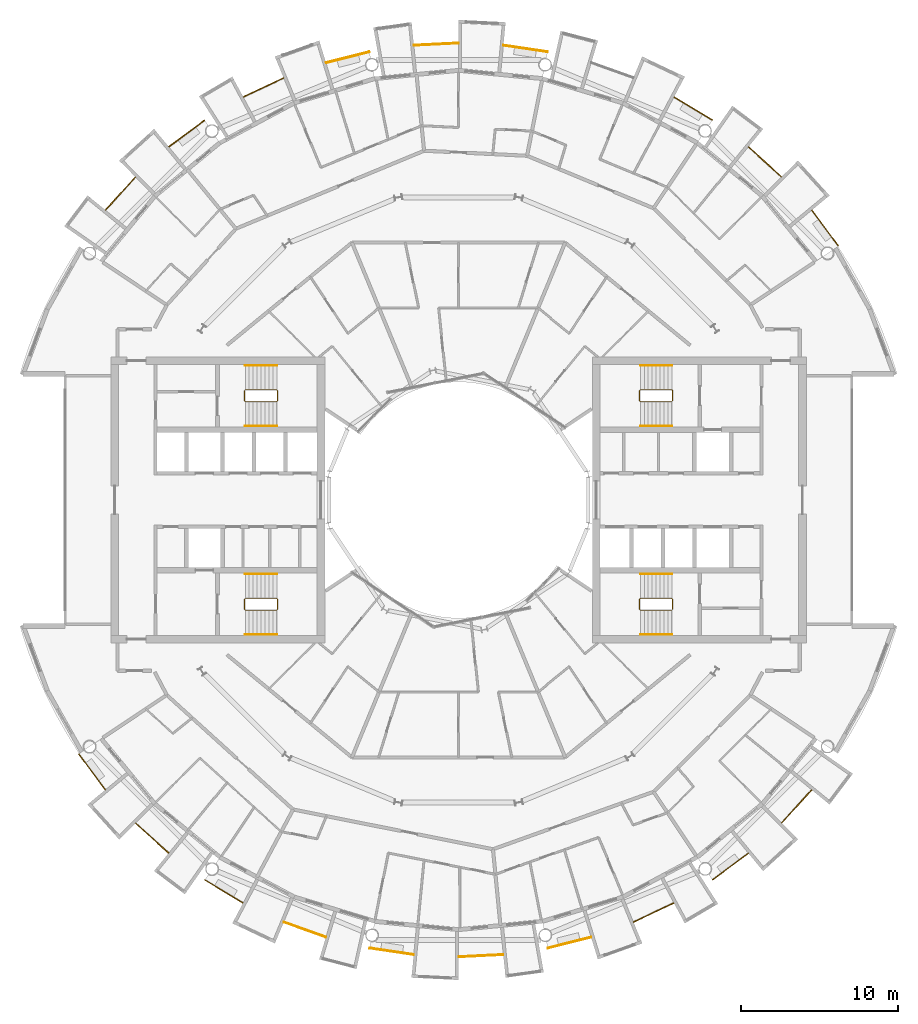
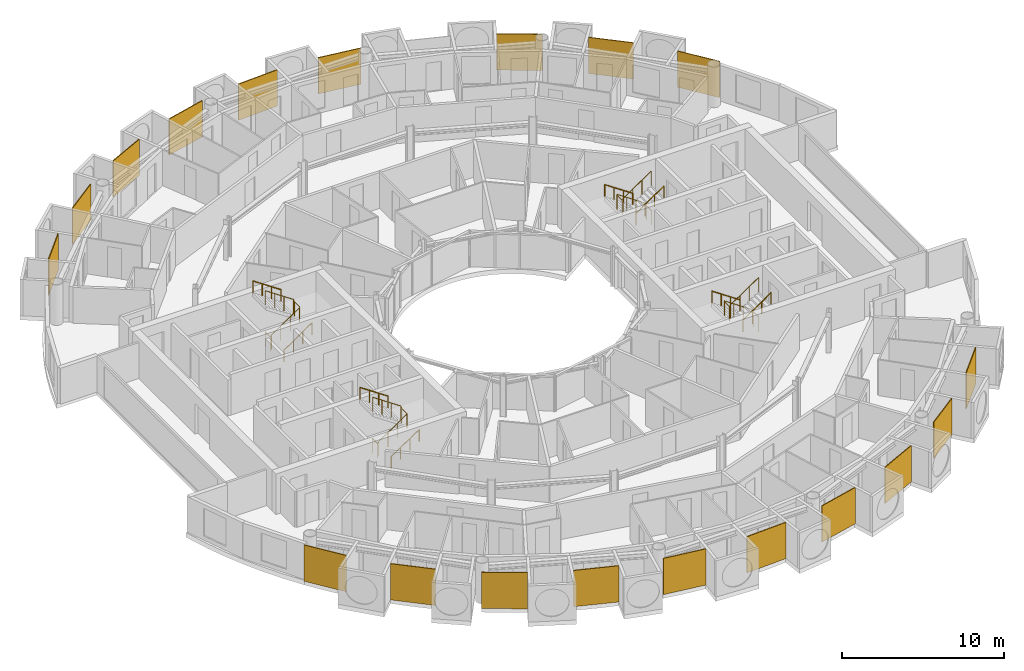
# One storey, part 27 of 28: 31 railings.
"""IFC4 building model written with IfcOpenShell, lengths in metres."""

from ifc_helpers import new_model, si_unit, direction, frame, origin, origin_2d, place, context, subcontext, project, spatial, polyline, circle, outline, extrude, material, layer, layer_set, type_object, element, save


model = new_model("IFC4")

# Units and contexts
model_context = context("Model", 3, precision=1e-05, world=origin(), true_north=direction((0.0, 1.0)))
body_context = subcontext(model_context, "Body", "Model", "MODEL_VIEW")
ifc_project = project(units=[si_unit("LENGTHUNIT", "METRE"), si_unit("AREAUNIT", "SQUARE_METRE"), si_unit("VOLUMEUNIT", "CUBIC_METRE"), si_unit("PLANEANGLEUNIT", "RADIAN"), si_unit("MASSUNIT", "GRAM", prefix="KILO")], contexts=[model_context])

# Site, building, storey
site_placement = place(None, origin())
site = spatial("IfcSite", under=ifc_project, at=site_placement, CompositionType="ELEMENT")
building_placement = place(site_placement, origin())
building = spatial("IfcBuilding", under=site, at=building_placement, Name="Maasbend Ring Residences", CompositionType="ELEMENT")
storey_placement = place(building_placement, frame((0.0, 0.0, 173.800048828125)))
storey = spatial("IfcBuildingStorey", under=building, at=storey_placement, Name="L50", CompositionType="ELEMENT", Elevation=173.800048828125)

# Railings
ifc_material_1 = material(Name="Pale anodised perforated aluminium", Category="aluminium")
ifc_layer = layer(ifc_material_1, 0.06005859375)
ifc_layer_set = layer_set([ifc_layer], Name="SCREEN-P")
railing_type_1 = type_object("IfcRailingType", Name="SCREEN-P", PredefinedType="GUARDRAIL", material=ifc_layer_set)
railing_1_placement = place(storey_placement, frame((0.0, 0.0, -0.030029296875)))
element("IfcRailing", 1, at=railing_1_placement, inside=storey, type_object=railing_type_1, Name="Perforated screen guard 1", PredefinedType="GUARDRAIL", context=body_context, shape_type="SweptSolid", body=[
    extrude(outline(polyline([(24.113037109375, 16.112060546875), (22.4169921875, 18.39697265625), (22.465087890625, 18.43310546875), (24.160888671875, 16.14697265625), (24.113037109375, 16.112060546875)])), origin(), (0.0, 0.0, 1.0), 2.72998046875),
])
railing_2_placement = place(storey_placement, frame((0.0, 0.0, -0.030029296875)))
element("IfcRailing", 2, at=railing_2_placement, inside=storey, type_object=railing_type_1, Name="Perforated screen guard 2", PredefinedType="GUARDRAIL", context=body_context, shape_type="SweptSolid", body=[
    extrude(outline(polyline([(20.506103515625, 20.506103515625), (18.39697265625, 22.4169921875), (18.43798828125, 22.4619140625), (20.5458984375, 20.551025390625), (20.506103515625, 20.506103515625)])), origin(), (0.0, 0.0, 1.0), 2.72998046875),
])
railing_3_placement = place(storey_placement, frame((0.0, 0.0, -0.030029296875)))
element("IfcRailing", 3, at=railing_3_placement, inside=storey, type_object=railing_type_1, Name="Perforated screen guard 3", PredefinedType="GUARDRAIL", context=body_context, shape_type="SweptSolid", body=[
    extrude(outline(polyline([(16.112060546875, 24.113037109375), (13.6708984375, 25.575927734375), (13.700927734375, 25.626953125), (16.14208984375, 24.1640625), (16.112060546875, 24.113037109375)])), origin(), (0.0, 0.0, 1.0), 2.72998046875),
])
railing_4_placement = place(storey_placement, frame((0.0, 0.0, -0.030029296875)))
element("IfcRailing", 4, at=railing_4_placement, inside=storey, type_object=railing_type_1, Name="Perforated screen guard 5", PredefinedType="GUARDRAIL", context=body_context, shape_type="SweptSolid", body=[
    extrude(outline(polyline([(5.657958984375, 28.443115234375), (2.842041015625, 28.860107421875), (2.85107421875, 28.919921875), (5.666015625, 28.501953125), (5.657958984375, 28.443115234375)])), origin(), (0.0, 0.0, 1.0), 2.72998046875),
])
railing_5_placement = place(storey_placement, frame((0.0, 0.0, -0.030029296875)))
element("IfcRailing", 5, at=railing_5_placement, inside=storey, type_object=railing_type_1, Name="Perforated screen guard 6", PredefinedType="GUARDRAIL", context=body_context, shape_type="SweptSolid", body=[
    extrude(outline(polyline([(0.0, 29.0), (-2.842041015625, 28.860107421875), (-2.844970703125, 28.919921875), (-0.0029296875, 29.06005859375), (0.0, 29.0)])), origin(), (0.0, 0.0, 1.0), 2.72998046875),
])
railing_6_placement = place(storey_placement, frame((0.0, 0.0, -0.030029296875)))
element("IfcRailing", 6, at=railing_6_placement, inside=storey, type_object=railing_type_1, Name="Perforated screen guard 7", PredefinedType="GUARDRAIL", context=body_context, shape_type="SweptSolid", body=[
    extrude(outline(polyline([(-5.657958984375, 28.443115234375), (-8.41796875, 27.7509765625), (-8.43310546875, 27.80908203125), (-5.672119140625, 28.5009765625), (-5.657958984375, 28.443115234375)])), origin(), (0.0, 0.0, 1.0), 2.72998046875),
])
railing_7_placement = place(storey_placement, frame((0.0, 0.0, -0.030029296875)))
element("IfcRailing", 7, at=railing_7_placement, inside=storey, type_object=railing_type_1, Name="Perforated screen guard 8", PredefinedType="GUARDRAIL", context=body_context, shape_type="SweptSolid", body=[
    extrude(outline(polyline([(-11.097900390625, 26.79296875), (-13.6708984375, 25.575927734375), (-13.696044921875, 25.6298828125), (-11.123046875, 26.846923828125), (-11.097900390625, 26.79296875)])), origin(), (0.0, 0.0, 1.0), 2.72998046875),
])
railing_8_placement = place(storey_placement, frame((0.0, 0.0, -0.030029296875)))
element("IfcRailing", 8, at=railing_8_placement, inside=storey, type_object=railing_type_1, Name="Perforated screen guard 9", PredefinedType="GUARDRAIL", context=body_context, shape_type="SweptSolid", body=[
    extrude(outline(polyline([(-16.112060546875, 24.113037109375), (-18.39697265625, 22.4169921875), (-18.43310546875, 22.465087890625), (-16.14697265625, 24.160888671875), (-16.112060546875, 24.113037109375)])), origin(), (0.0, 0.0, 1.0), 2.72998046875),
])
railing_9_placement = place(storey_placement, frame((0.0, 0.0, -0.030029296875)))
element("IfcRailing", 9, at=railing_9_placement, inside=storey, type_object=railing_type_1, Name="Perforated screen guard 10", PredefinedType="GUARDRAIL", context=body_context, shape_type="SweptSolid", body=[
    extrude(outline(polyline([(-20.506103515625, 20.506103515625), (-22.4169921875, 18.39697265625), (-22.4619140625, 18.43798828125), (-20.551025390625, 20.5458984375), (-20.506103515625, 20.506103515625)])), origin(), (0.0, 0.0, 1.0), 2.72998046875),
])
railing_10_placement = place(storey_placement, frame((0.0, 0.0, -0.030029296875)))
element("IfcRailing", 10, at=railing_10_placement, inside=storey, type_object=railing_type_1, Name="Perforated screen guard 1", PredefinedType="GUARDRAIL", context=body_context, shape_type="SweptSolid", body=[
    extrude(outline(polyline([(-24.113037109375, -16.112060546875), (-22.4169921875, -18.39697265625), (-22.465087890625, -18.43310546875), (-24.160888671875, -16.14697265625), (-24.113037109375, -16.112060546875)])), origin(), (0.0, 0.0, 1.0), 2.72998046875),
])
railing_11_placement = place(storey_placement, frame((0.0, 0.0, -0.030029296875)))
element("IfcRailing", 11, at=railing_11_placement, inside=storey, type_object=railing_type_1, Name="Perforated screen guard 2", PredefinedType="GUARDRAIL", context=body_context, shape_type="SweptSolid", body=[
    extrude(outline(polyline([(-20.506103515625, -20.506103515625), (-18.39697265625, -22.4169921875), (-18.43798828125, -22.4619140625), (-20.5458984375, -20.551025390625), (-20.506103515625, -20.506103515625)])), origin(), (0.0, 0.0, 1.0), 2.72998046875),
])
railing_12_placement = place(storey_placement, frame((0.0, 0.0, -0.030029296875)))
element("IfcRailing", 12, at=railing_12_placement, inside=storey, type_object=railing_type_1, Name="Perforated screen guard 3", PredefinedType="GUARDRAIL", context=body_context, shape_type="SweptSolid", body=[
    extrude(outline(polyline([(-16.112060546875, -24.113037109375), (-13.6708984375, -25.575927734375), (-13.700927734375, -25.626953125), (-16.14208984375, -24.1640625), (-16.112060546875, -24.113037109375)])), origin(), (0.0, 0.0, 1.0), 2.72998046875),
])
railing_13_placement = place(storey_placement, frame((0.0, 0.0, -0.030029296875)))
element("IfcRailing", 13, at=railing_13_placement, inside=storey, type_object=railing_type_1, Name="Perforated screen guard 4", PredefinedType="GUARDRAIL", context=body_context, shape_type="SweptSolid", body=[
    extrude(outline(polyline([(-11.097900390625, -26.79296875), (-8.41796875, -27.7509765625), (-8.43798828125, -27.80810546875), (-11.117919921875, -26.84912109375), (-11.097900390625, -26.79296875)])), origin(), (0.0, 0.0, 1.0), 2.72998046875),
])
railing_14_placement = place(storey_placement, frame((0.0, 0.0, -0.030029296875)))
element("IfcRailing", 14, at=railing_14_placement, inside=storey, type_object=railing_type_1, Name="Perforated screen guard 5", PredefinedType="GUARDRAIL", context=body_context, shape_type="SweptSolid", body=[
    extrude(outline(polyline([(-5.657958984375, -28.443115234375), (-2.842041015625, -28.860107421875), (-2.85107421875, -28.919921875), (-5.666015625, -28.501953125), (-5.657958984375, -28.443115234375)])), origin(), (0.0, 0.0, 1.0), 2.72998046875),
])
railing_15_placement = place(storey_placement, frame((0.0, 0.0, -0.030029296875)))
element("IfcRailing", 15, at=railing_15_placement, inside=storey, type_object=railing_type_1, Name="Perforated screen guard 6", PredefinedType="GUARDRAIL", context=body_context, shape_type="SweptSolid", body=[
    extrude(outline(polyline([(0.0, -29.0), (2.842041015625, -28.860107421875), (2.844970703125, -28.919921875), (0.0029296875, -29.06005859375), (0.0, -29.0)])), origin(), (0.0, 0.0, 1.0), 2.72998046875),
])
railing_16_placement = place(storey_placement, frame((0.0, 0.0, -0.030029296875)))
element("IfcRailing", 16, at=railing_16_placement, inside=storey, type_object=railing_type_1, Name="Perforated screen guard 7", PredefinedType="GUARDRAIL", context=body_context, shape_type="SweptSolid", body=[
    extrude(outline(polyline([(5.657958984375, -28.443115234375), (8.41796875, -27.7509765625), (8.43310546875, -27.80908203125), (5.672119140625, -28.5009765625), (5.657958984375, -28.443115234375)])), origin(), (0.0, 0.0, 1.0), 2.72998046875),
])
railing_17_placement = place(storey_placement, frame((0.0, 0.0, -0.030029296875)))
element("IfcRailing", 17, at=railing_17_placement, inside=storey, type_object=railing_type_1, Name="Perforated screen guard 8", PredefinedType="GUARDRAIL", context=body_context, shape_type="SweptSolid", body=[
    extrude(outline(polyline([(11.097900390625, -26.79296875), (13.6708984375, -25.575927734375), (13.696044921875, -25.6298828125), (11.123046875, -26.846923828125), (11.097900390625, -26.79296875)])), origin(), (0.0, 0.0, 1.0), 2.72998046875),
])
railing_18_placement = place(storey_placement, frame((0.0, 0.0, -0.030029296875)))
element("IfcRailing", 18, at=railing_18_placement, inside=storey, type_object=railing_type_1, Name="Perforated screen guard 9", PredefinedType="GUARDRAIL", context=body_context, shape_type="SweptSolid", body=[
    extrude(outline(polyline([(16.112060546875, -24.113037109375), (18.39697265625, -22.4169921875), (18.43310546875, -22.465087890625), (16.14697265625, -24.160888671875), (16.112060546875, -24.113037109375)])), origin(), (0.0, 0.0, 1.0), 2.72998046875),
])
railing_19_placement = place(storey_placement, frame((0.0, 0.0, -0.030029296875)))
element("IfcRailing", 19, at=railing_19_placement, inside=storey, type_object=railing_type_1, Name="Perforated screen guard 10", PredefinedType="GUARDRAIL", context=body_context, shape_type="SweptSolid", body=[
    extrude(outline(polyline([(20.506103515625, -20.506103515625), (22.4169921875, -18.39697265625), (22.4619140625, -18.43798828125), (20.551025390625, -20.5458984375), (20.506103515625, -20.506103515625)])), origin(), (0.0, 0.0, 1.0), 2.72998046875),
])
ifc_material_2 = material(Name="Stainless steel 316", Category="steel")
railing_type_2 = type_object("IfcRailingType", Name="STAIR GUARD 1100", PredefinedType="GUARDRAIL", material=ifc_material_2)
railing_20_placement = place(storey_placement, frame((13.60009765625, 6.300048828125, 0.0)))
element("IfcRailing", 20, at=railing_20_placement, inside=storey, type_object=railing_type_2, Name="L50 ST-E1 stair guard 1", PredefinedType="GUARDRAIL", context=body_context, shape_type="SweptSolid", body=[
    extrude(circle(Radius=0.02392578125, at=origin_2d()), frame((0.0, 0.0, 1.076171875), z_axis=(0.0, 1.0, 0.0), x_axis=(-1.0, 0.0, 0.0)), (0.0, 0.0, 1.0), 0.64990234375),
    extrude(circle(Radius=0.02392578125, at=origin_2d()), frame((0.0, 0.64990234375, 1.076171875), z_axis=(-0.272562526181, 0.272562526181, 0.92272386912), x_axis=(-0.707106781187, -0.707106781187, 0.0)), (0.0, 0.0, 1.0), 0.18359375),
    extrude(circle(Radius=0.02392578125, at=origin_2d()), frame((-0.050048828125, 0.699951171875, 1.24560546875), z_axis=(-0.827797584762, 0.0, 0.561026878735), x_axis=(0.0, -1.0, 0.0)), (0.0, 0.0, 1.0), 2.416015625),
    extrude(circle(Radius=0.02392578125, at=origin_2d()), frame((-2.050048828125, 0.699951171875, 2.60107421875), z_axis=(-0.707106781187, -0.707106781187, 0.0), x_axis=(0.707106781187, -0.707106781187, 0.0)), (0.0, 0.0, 1.0), 0.07080078125),
    extrude(circle(Radius=0.02392578125, at=origin_2d()), frame((-2.10009765625, 0.64990234375, 2.60107421875), z_axis=(0.0, -1.0, 0.0), x_axis=(1.0, 0.0, 0.0)), (0.0, 0.0, 1.0), 0.64990234375),
    extrude(circle(Radius=0.02392578125, at=origin_2d()), frame((-2.10009765625, 0.0, 2.60107421875), z_axis=(0.272562526181, -0.272562526181, 0.92272386912), x_axis=(0.707106781187, 0.707106781187, 0.0)), (0.0, 0.0, 1.0), 0.18359375),
    extrude(circle(Radius=0.02392578125, at=origin_2d()), frame((-2.050048828125, -0.050048828125, 2.7705078125), z_axis=(0.827750655447, 0.0, 0.561096116906), x_axis=(0.0, 1.0, 0.0)), (0.0, 0.0, 1.0), 2.416259765625),
    extrude(circle(Radius=0.02099609375, at=origin_2d()), origin(), (0.0, 0.0, 1.0), 1.052001953125),
    extrude(circle(Radius=0.02099609375, at=origin_2d()), frame((0.0, 0.64990234375, 0.0)), (0.0, 0.0, 1.0), 1.052001953125),
    extrude(circle(Radius=0.02099609375, at=origin_2d()), frame((-0.050048828125, 0.699951171875, 0.16943359375)), (0.0, 0.0, 1.0), 1.052001953125),
    extrude(circle(Radius=0.02099609375, at=origin_2d()), frame((-0.716796875, 0.699951171875, 0.621337890625)), (0.0, 0.0, 1.0), 1.052001953125),
    extrude(circle(Radius=0.02099609375, at=origin_2d()), frame((-1.38330078125, 0.699951171875, 1.072998046875)), (0.0, 0.0, 1.0), 1.052001953125),
    extrude(circle(Radius=0.02099609375, at=origin_2d()), frame((-2.050048828125, 0.699951171875, 1.52490234375)), (0.0, 0.0, 1.0), 1.052001953125),
    extrude(circle(Radius=0.02099609375, at=origin_2d()), frame((-2.10009765625, 0.64990234375, 1.52490234375)), (0.0, 0.0, 1.0), 1.052001953125),
    extrude(circle(Radius=0.02099609375, at=origin_2d()), frame((-2.10009765625, 0.0, 1.52490234375)), (0.0, 0.0, 1.0), 1.052001953125),
    extrude(circle(Radius=0.02099609375, at=origin_2d()), frame((-2.050048828125, -0.050048828125, 1.6943359375)), (0.0, 0.0, 1.0), 1.052001953125),
    extrude(circle(Radius=0.02099609375, at=origin_2d()), frame((-1.38330078125, -0.050048828125, 2.146240234375)), (0.0, 0.0, 1.0), 1.052001953125),
    extrude(circle(Radius=0.02099609375, at=origin_2d()), frame((-0.716796875, -0.050048828125, 2.59814453125)), (0.0, 0.0, 1.0), 1.052001953125),
    extrude(circle(Radius=0.02099609375, at=origin_2d()), frame((-0.050048828125, -0.050048828125, 3.050048828125)), (0.0, 0.0, 1.0), 1.052001953125),
])
railing_21_placement = place(storey_placement, frame((13.60009765625, -6.949951171875, 0.0)))
element("IfcRailing", 21, at=railing_21_placement, inside=storey, type_object=railing_type_2, Name="L50 ST-E2 stair guard 1", PredefinedType="GUARDRAIL", context=body_context, shape_type="SweptSolid", body=[
    extrude(circle(Radius=0.02392578125, at=origin_2d()), frame((0.0, 0.0, 1.076171875), z_axis=(0.0, 1.0, 0.0), x_axis=(-1.0, 0.0, 0.0)), (0.0, 0.0, 1.0), 0.64990234375),
    extrude(circle(Radius=0.02392578125, at=origin_2d()), frame((0.0, 0.64990234375, 1.076171875), z_axis=(-0.272562526181, 0.272562526181, 0.92272386912), x_axis=(-0.707106781187, -0.707106781187, 0.0)), (0.0, 0.0, 1.0), 0.18359375),
    extrude(circle(Radius=0.02392578125, at=origin_2d()), frame((-0.050048828125, 0.699951171875, 1.24560546875), z_axis=(-0.827797584762, 0.0, 0.561026878735), x_axis=(0.0, -1.0, 0.0)), (0.0, 0.0, 1.0), 2.416015625),
    extrude(circle(Radius=0.02392578125, at=origin_2d()), frame((-2.050048828125, 0.699951171875, 2.60107421875), z_axis=(-0.707106781187, -0.707106781187, 0.0), x_axis=(0.707106781187, -0.707106781187, 0.0)), (0.0, 0.0, 1.0), 0.07080078125),
    extrude(circle(Radius=0.02392578125, at=origin_2d()), frame((-2.10009765625, 0.64990234375, 2.60107421875), z_axis=(0.0, -1.0, 0.0), x_axis=(1.0, 0.0, 0.0)), (0.0, 0.0, 1.0), 0.64990234375),
    extrude(circle(Radius=0.02392578125, at=origin_2d()), frame((-2.10009765625, 0.0, 2.60107421875), z_axis=(0.272562526181, -0.272562526181, 0.92272386912), x_axis=(0.707106781187, 0.707106781187, 0.0)), (0.0, 0.0, 1.0), 0.18359375),
    extrude(circle(Radius=0.02392578125, at=origin_2d()), frame((-2.050048828125, -0.050048828125, 2.7705078125), z_axis=(0.827750655447, 0.0, 0.561096116906), x_axis=(0.0, 1.0, 0.0)), (0.0, 0.0, 1.0), 2.416259765625),
    extrude(circle(Radius=0.02099609375, at=origin_2d()), origin(), (0.0, 0.0, 1.0), 1.052001953125),
    extrude(circle(Radius=0.02099609375, at=origin_2d()), frame((0.0, 0.64990234375, 0.0)), (0.0, 0.0, 1.0), 1.052001953125),
    extrude(circle(Radius=0.02099609375, at=origin_2d()), frame((-0.050048828125, 0.699951171875, 0.16943359375)), (0.0, 0.0, 1.0), 1.052001953125),
    extrude(circle(Radius=0.02099609375, at=origin_2d()), frame((-0.716796875, 0.699951171875, 0.621337890625)), (0.0, 0.0, 1.0), 1.052001953125),
    extrude(circle(Radius=0.02099609375, at=origin_2d()), frame((-1.38330078125, 0.699951171875, 1.072998046875)), (0.0, 0.0, 1.0), 1.052001953125),
    extrude(circle(Radius=0.02099609375, at=origin_2d()), frame((-2.050048828125, 0.699951171875, 1.52490234375)), (0.0, 0.0, 1.0), 1.052001953125),
    extrude(circle(Radius=0.02099609375, at=origin_2d()), frame((-2.10009765625, 0.64990234375, 1.52490234375)), (0.0, 0.0, 1.0), 1.052001953125),
    extrude(circle(Radius=0.02099609375, at=origin_2d()), frame((-2.10009765625, 0.0, 1.52490234375)), (0.0, 0.0, 1.0), 1.052001953125),
    extrude(circle(Radius=0.02099609375, at=origin_2d()), frame((-2.050048828125, -0.050048828125, 1.6943359375)), (0.0, 0.0, 1.0), 1.052001953125),
    extrude(circle(Radius=0.02099609375, at=origin_2d()), frame((-1.38330078125, -0.050048828125, 2.146240234375)), (0.0, 0.0, 1.0), 1.052001953125),
    extrude(circle(Radius=0.02099609375, at=origin_2d()), frame((-0.716796875, -0.050048828125, 2.59814453125)), (0.0, 0.0, 1.0), 1.052001953125),
    extrude(circle(Radius=0.02099609375, at=origin_2d()), frame((-0.050048828125, -0.050048828125, 3.050048828125)), (0.0, 0.0, 1.0), 1.052001953125),
])
railing_22_placement = place(storey_placement, frame((-13.60009765625, -6.300048828125, 0.0)))
element("IfcRailing", 22, at=railing_22_placement, inside=storey, type_object=railing_type_2, Name="L50 ST-W1 stair guard 1", PredefinedType="GUARDRAIL", context=body_context, shape_type="SweptSolid", body=[
    extrude(circle(Radius=0.02392578125, at=origin_2d()), frame((0.0, 0.0, 1.076171875), z_axis=(0.0, -1.0, 0.0), x_axis=(1.0, 0.0, 0.0)), (0.0, 0.0, 1.0), 0.64990234375),
    extrude(circle(Radius=0.02392578125, at=origin_2d()), frame((0.0, -0.64990234375, 1.076171875), z_axis=(0.272562526181, -0.272562526181, 0.92272386912), x_axis=(0.707106781187, 0.707106781187, 0.0)), (0.0, 0.0, 1.0), 0.18359375),
    extrude(circle(Radius=0.02392578125, at=origin_2d()), frame((0.050048828125, -0.699951171875, 1.24560546875), z_axis=(0.827797584762, 0.0, 0.561026878735), x_axis=(0.0, 1.0, 0.0)), (0.0, 0.0, 1.0), 2.416015625),
    extrude(circle(Radius=0.02392578125, at=origin_2d()), frame((2.050048828125, -0.699951171875, 2.60107421875), z_axis=(0.707106781187, 0.707106781187, 0.0), x_axis=(-0.707106781187, 0.707106781187, 0.0)), (0.0, 0.0, 1.0), 0.07080078125),
    extrude(circle(Radius=0.02392578125, at=origin_2d()), frame((2.10009765625, -0.64990234375, 2.60107421875), z_axis=(0.0, 1.0, 0.0), x_axis=(-1.0, 0.0, 0.0)), (0.0, 0.0, 1.0), 0.64990234375),
    extrude(circle(Radius=0.02392578125, at=origin_2d()), frame((2.10009765625, 0.0, 2.60107421875), z_axis=(-0.272562526181, 0.272562526181, 0.92272386912), x_axis=(-0.707106781187, -0.707106781187, 0.0)), (0.0, 0.0, 1.0), 0.18359375),
    extrude(circle(Radius=0.02392578125, at=origin_2d()), frame((2.050048828125, 0.050048828125, 2.7705078125), z_axis=(-0.827750655447, 0.0, 0.561096116906), x_axis=(0.0, -1.0, 0.0)), (0.0, 0.0, 1.0), 2.416259765625),
    extrude(circle(Radius=0.02099609375, at=origin_2d()), origin(), (0.0, 0.0, 1.0), 1.052001953125),
    extrude(circle(Radius=0.02099609375, at=origin_2d()), frame((0.0, -0.64990234375, 0.0)), (0.0, 0.0, 1.0), 1.052001953125),
    extrude(circle(Radius=0.02099609375, at=origin_2d()), frame((0.050048828125, -0.699951171875, 0.16943359375)), (0.0, 0.0, 1.0), 1.052001953125),
    extrude(circle(Radius=0.02099609375, at=origin_2d()), frame((0.716796875, -0.699951171875, 0.621337890625)), (0.0, 0.0, 1.0), 1.052001953125),
    extrude(circle(Radius=0.02099609375, at=origin_2d()), frame((1.38330078125, -0.699951171875, 1.072998046875)), (0.0, 0.0, 1.0), 1.052001953125),
    extrude(circle(Radius=0.02099609375, at=origin_2d()), frame((2.050048828125, -0.699951171875, 1.52490234375)), (0.0, 0.0, 1.0), 1.052001953125),
    extrude(circle(Radius=0.02099609375, at=origin_2d()), frame((2.10009765625, -0.64990234375, 1.52490234375)), (0.0, 0.0, 1.0), 1.052001953125),
    extrude(circle(Radius=0.02099609375, at=origin_2d()), frame((2.10009765625, 0.0, 1.52490234375)), (0.0, 0.0, 1.0), 1.052001953125),
    extrude(circle(Radius=0.02099609375, at=origin_2d()), frame((2.050048828125, 0.050048828125, 1.6943359375)), (0.0, 0.0, 1.0), 1.052001953125),
    extrude(circle(Radius=0.02099609375, at=origin_2d()), frame((1.38330078125, 0.050048828125, 2.146240234375)), (0.0, 0.0, 1.0), 1.052001953125),
    extrude(circle(Radius=0.02099609375, at=origin_2d()), frame((0.716796875, 0.050048828125, 2.59814453125)), (0.0, 0.0, 1.0), 1.052001953125),
    extrude(circle(Radius=0.02099609375, at=origin_2d()), frame((0.050048828125, 0.050048828125, 3.050048828125)), (0.0, 0.0, 1.0), 1.052001953125),
])
railing_23_placement = place(storey_placement, frame((-13.60009765625, 6.949951171875, 0.0)))
element("IfcRailing", 23, at=railing_23_placement, inside=storey, type_object=railing_type_2, Name="L50 ST-W2 stair guard 1", PredefinedType="GUARDRAIL", context=body_context, shape_type="SweptSolid", body=[
    extrude(circle(Radius=0.02392578125, at=origin_2d()), frame((0.0, 0.0, 1.076171875), z_axis=(0.0, -1.0, 0.0), x_axis=(1.0, 0.0, 0.0)), (0.0, 0.0, 1.0), 0.64990234375),
    extrude(circle(Radius=0.02392578125, at=origin_2d()), frame((0.0, -0.64990234375, 1.076171875), z_axis=(0.272562526181, -0.272562526181, 0.92272386912), x_axis=(0.707106781187, 0.707106781187, 0.0)), (0.0, 0.0, 1.0), 0.18359375),
    extrude(circle(Radius=0.02392578125, at=origin_2d()), frame((0.050048828125, -0.699951171875, 1.24560546875), z_axis=(0.827797584762, 0.0, 0.561026878735), x_axis=(0.0, 1.0, 0.0)), (0.0, 0.0, 1.0), 2.416015625),
    extrude(circle(Radius=0.02392578125, at=origin_2d()), frame((2.050048828125, -0.699951171875, 2.60107421875), z_axis=(0.707106781187, 0.707106781187, 0.0), x_axis=(-0.707106781187, 0.707106781187, 0.0)), (0.0, 0.0, 1.0), 0.07080078125),
    extrude(circle(Radius=0.02392578125, at=origin_2d()), frame((2.10009765625, -0.64990234375, 2.60107421875), z_axis=(0.0, 1.0, 0.0), x_axis=(-1.0, 0.0, 0.0)), (0.0, 0.0, 1.0), 0.64990234375),
    extrude(circle(Radius=0.02392578125, at=origin_2d()), frame((2.10009765625, 0.0, 2.60107421875), z_axis=(-0.272562526181, 0.272562526181, 0.92272386912), x_axis=(-0.707106781187, -0.707106781187, 0.0)), (0.0, 0.0, 1.0), 0.18359375),
    extrude(circle(Radius=0.02392578125, at=origin_2d()), frame((2.050048828125, 0.050048828125, 2.7705078125), z_axis=(-0.827750655447, 0.0, 0.561096116906), x_axis=(0.0, -1.0, 0.0)), (0.0, 0.0, 1.0), 2.416259765625),
    extrude(circle(Radius=0.02099609375, at=origin_2d()), origin(), (0.0, 0.0, 1.0), 1.052001953125),
    extrude(circle(Radius=0.02099609375, at=origin_2d()), frame((0.0, -0.64990234375, 0.0)), (0.0, 0.0, 1.0), 1.052001953125),
    extrude(circle(Radius=0.02099609375, at=origin_2d()), frame((0.050048828125, -0.699951171875, 0.16943359375)), (0.0, 0.0, 1.0), 1.052001953125),
    extrude(circle(Radius=0.02099609375, at=origin_2d()), frame((0.716796875, -0.699951171875, 0.621337890625)), (0.0, 0.0, 1.0), 1.052001953125),
    extrude(circle(Radius=0.02099609375, at=origin_2d()), frame((1.38330078125, -0.699951171875, 1.072998046875)), (0.0, 0.0, 1.0), 1.052001953125),
    extrude(circle(Radius=0.02099609375, at=origin_2d()), frame((2.050048828125, -0.699951171875, 1.52490234375)), (0.0, 0.0, 1.0), 1.052001953125),
    extrude(circle(Radius=0.02099609375, at=origin_2d()), frame((2.10009765625, -0.64990234375, 1.52490234375)), (0.0, 0.0, 1.0), 1.052001953125),
    extrude(circle(Radius=0.02099609375, at=origin_2d()), frame((2.10009765625, 0.0, 1.52490234375)), (0.0, 0.0, 1.0), 1.052001953125),
    extrude(circle(Radius=0.02099609375, at=origin_2d()), frame((2.050048828125, 0.050048828125, 1.6943359375)), (0.0, 0.0, 1.0), 1.052001953125),
    extrude(circle(Radius=0.02099609375, at=origin_2d()), frame((1.38330078125, 0.050048828125, 2.146240234375)), (0.0, 0.0, 1.0), 1.052001953125),
    extrude(circle(Radius=0.02099609375, at=origin_2d()), frame((0.716796875, 0.050048828125, 2.59814453125)), (0.0, 0.0, 1.0), 1.052001953125),
    extrude(circle(Radius=0.02099609375, at=origin_2d()), frame((0.050048828125, 0.050048828125, 3.050048828125)), (0.0, 0.0, 1.0), 1.052001953125),
])
ifc_material_3 = material(Name="Stainless steel 316", Category="steel")
railing_type_3 = type_object("IfcRailingType", Name="STAIR HANDRAIL 900", PredefinedType="HANDRAIL", material=ifc_material_3)
railing_24_placement = place(storey_placement, frame((13.550048828125, 8.550048828125, 0.16943359375)))
element("IfcRailing", 24, at=railing_24_placement, inside=storey, type_object=railing_type_3, Name="L50 ST-E1 stair handrail 1", PredefinedType="HANDRAIL", context=body_context, shape_type="SweptSolid", body=[
    extrude(circle(Radius=0.02392578125, at=origin_2d()), frame((0.0, 0.0, 0.8759765625), z_axis=(-0.827797584762, 0.0, 0.561026878735), x_axis=(0.0, -1.0, 0.0)), (0.0, 0.0, 1.0), 2.416015625),
    extrude(circle(Radius=0.02099609375, at=origin_2d()), origin(), (0.0, 0.0, 1.0), 0.851806640625),
    extrude(circle(Radius=0.02099609375, at=origin_2d()), frame((-0.666748046875, 0.0, 0.451904296875)), (0.0, 0.0, 1.0), 0.851806640625),
    extrude(circle(Radius=0.02099609375, at=origin_2d()), frame((-1.333251953125, 0.0, 0.903564453125)), (0.0, 0.0, 1.0), 0.851806640625),
    extrude(circle(Radius=0.02099609375, at=origin_2d()), frame((-2.0, 0.0, 1.35546875)), (0.0, 0.0, 1.0), 0.851806640625),
])
railing_25_placement = place(storey_placement, frame((11.550048828125, 4.699951171875, 1.6943359375)))
element("IfcRailing", 25, at=railing_25_placement, inside=storey, type_object=railing_type_3, Name="L50 ST-E1 stair handrail 2", PredefinedType="HANDRAIL", context=body_context, shape_type="SweptSolid", body=[
    extrude(circle(Radius=0.02392578125, at=origin_2d()), frame((0.0, 0.0, 0.8759765625), z_axis=(0.827750655447, 0.0, 0.561096116906), x_axis=(0.0, 1.0, 0.0)), (0.0, 0.0, 1.0), 2.416259765625),
    extrude(circle(Radius=0.02099609375, at=origin_2d()), origin(), (0.0, 0.0, 1.0), 0.851806640625),
    extrude(circle(Radius=0.02099609375, at=origin_2d()), frame((0.666748046875, 0.0, 0.451904296875)), (0.0, 0.0, 1.0), 0.851806640625),
    extrude(circle(Radius=0.02099609375, at=origin_2d()), frame((1.333251953125, 0.0, 0.90380859375)), (0.0, 0.0, 1.0), 0.851806640625),
    extrude(circle(Radius=0.02099609375, at=origin_2d()), frame((2.0, 0.0, 1.355712890625)), (0.0, 0.0, 1.0), 0.851806640625),
])
railing_26_placement = place(storey_placement, frame((13.550048828125, -4.699951171875, 0.16943359375)))
element("IfcRailing", 26, at=railing_26_placement, inside=storey, type_object=railing_type_3, Name="L50 ST-E2 stair handrail 1", PredefinedType="HANDRAIL", context=body_context, shape_type="SweptSolid", body=[
    extrude(circle(Radius=0.02392578125, at=origin_2d()), frame((0.0, 0.0, 0.8759765625), z_axis=(-0.827797584762, 0.0, 0.561026878735), x_axis=(0.0, -1.0, 0.0)), (0.0, 0.0, 1.0), 2.416015625),
    extrude(circle(Radius=0.02099609375, at=origin_2d()), origin(), (0.0, 0.0, 1.0), 0.851806640625),
    extrude(circle(Radius=0.02099609375, at=origin_2d()), frame((-0.666748046875, 0.0, 0.451904296875)), (0.0, 0.0, 1.0), 0.851806640625),
    extrude(circle(Radius=0.02099609375, at=origin_2d()), frame((-1.333251953125, 0.0, 0.903564453125)), (0.0, 0.0, 1.0), 0.851806640625),
    extrude(circle(Radius=0.02099609375, at=origin_2d()), frame((-2.0, 0.0, 1.35546875)), (0.0, 0.0, 1.0), 0.851806640625),
])
railing_27_placement = place(storey_placement, frame((11.550048828125, -8.550048828125, 1.6943359375)))
element("IfcRailing", 27, at=railing_27_placement, inside=storey, type_object=railing_type_3, Name="L50 ST-E2 stair handrail 2", PredefinedType="HANDRAIL", context=body_context, shape_type="SweptSolid", body=[
    extrude(circle(Radius=0.02392578125, at=origin_2d()), frame((0.0, 0.0, 0.8759765625), z_axis=(0.827750655447, 0.0, 0.561096116906), x_axis=(0.0, 1.0, 0.0)), (0.0, 0.0, 1.0), 2.416259765625),
    extrude(circle(Radius=0.02099609375, at=origin_2d()), origin(), (0.0, 0.0, 1.0), 0.851806640625),
    extrude(circle(Radius=0.02099609375, at=origin_2d()), frame((0.666748046875, 0.0, 0.451904296875)), (0.0, 0.0, 1.0), 0.851806640625),
    extrude(circle(Radius=0.02099609375, at=origin_2d()), frame((1.333251953125, 0.0, 0.90380859375)), (0.0, 0.0, 1.0), 0.851806640625),
    extrude(circle(Radius=0.02099609375, at=origin_2d()), frame((2.0, 0.0, 1.355712890625)), (0.0, 0.0, 1.0), 0.851806640625),
])
railing_28_placement = place(storey_placement, frame((-13.550048828125, -8.550048828125, 0.16943359375)))
element("IfcRailing", 28, at=railing_28_placement, inside=storey, type_object=railing_type_3, Name="L50 ST-W1 stair handrail 1", PredefinedType="HANDRAIL", context=body_context, shape_type="SweptSolid", body=[
    extrude(circle(Radius=0.02392578125, at=origin_2d()), frame((0.0, 0.0, 0.8759765625), z_axis=(0.827797584762, 0.0, 0.561026878735), x_axis=(0.0, 1.0, 0.0)), (0.0, 0.0, 1.0), 2.416015625),
    extrude(circle(Radius=0.02099609375, at=origin_2d()), origin(), (0.0, 0.0, 1.0), 0.851806640625),
    extrude(circle(Radius=0.02099609375, at=origin_2d()), frame((0.666748046875, 0.0, 0.451904296875)), (0.0, 0.0, 1.0), 0.851806640625),
    extrude(circle(Radius=0.02099609375, at=origin_2d()), frame((1.333251953125, 0.0, 0.903564453125)), (0.0, 0.0, 1.0), 0.851806640625),
    extrude(circle(Radius=0.02099609375, at=origin_2d()), frame((2.0, 0.0, 1.35546875)), (0.0, 0.0, 1.0), 0.851806640625),
])
railing_29_placement = place(storey_placement, frame((-11.550048828125, -4.699951171875, 1.6943359375)))
element("IfcRailing", 29, at=railing_29_placement, inside=storey, type_object=railing_type_3, Name="L50 ST-W1 stair handrail 2", PredefinedType="HANDRAIL", context=body_context, shape_type="SweptSolid", body=[
    extrude(circle(Radius=0.02392578125, at=origin_2d()), frame((0.0, 0.0, 0.8759765625), z_axis=(-0.827750655447, 0.0, 0.561096116906), x_axis=(0.0, -1.0, 0.0)), (0.0, 0.0, 1.0), 2.416259765625),
    extrude(circle(Radius=0.02099609375, at=origin_2d()), origin(), (0.0, 0.0, 1.0), 0.851806640625),
    extrude(circle(Radius=0.02099609375, at=origin_2d()), frame((-0.666748046875, 0.0, 0.451904296875)), (0.0, 0.0, 1.0), 0.851806640625),
    extrude(circle(Radius=0.02099609375, at=origin_2d()), frame((-1.333251953125, 0.0, 0.90380859375)), (0.0, 0.0, 1.0), 0.851806640625),
    extrude(circle(Radius=0.02099609375, at=origin_2d()), frame((-2.0, 0.0, 1.355712890625)), (0.0, 0.0, 1.0), 0.851806640625),
])
railing_30_placement = place(storey_placement, frame((-13.550048828125, 4.699951171875, 0.16943359375)))
element("IfcRailing", 30, at=railing_30_placement, inside=storey, type_object=railing_type_3, Name="L50 ST-W2 stair handrail 1", PredefinedType="HANDRAIL", context=body_context, shape_type="SweptSolid", body=[
    extrude(circle(Radius=0.02392578125, at=origin_2d()), frame((0.0, 0.0, 0.8759765625), z_axis=(0.827797584762, 0.0, 0.561026878735), x_axis=(0.0, 1.0, 0.0)), (0.0, 0.0, 1.0), 2.416015625),
    extrude(circle(Radius=0.02099609375, at=origin_2d()), origin(), (0.0, 0.0, 1.0), 0.851806640625),
    extrude(circle(Radius=0.02099609375, at=origin_2d()), frame((0.666748046875, 0.0, 0.451904296875)), (0.0, 0.0, 1.0), 0.851806640625),
    extrude(circle(Radius=0.02099609375, at=origin_2d()), frame((1.333251953125, 0.0, 0.903564453125)), (0.0, 0.0, 1.0), 0.851806640625),
    extrude(circle(Radius=0.02099609375, at=origin_2d()), frame((2.0, 0.0, 1.35546875)), (0.0, 0.0, 1.0), 0.851806640625),
])
railing_31_placement = place(storey_placement, frame((-11.550048828125, 8.550048828125, 1.6943359375)))
element("IfcRailing", 31, at=railing_31_placement, inside=storey, type_object=railing_type_3, Name="L50 ST-W2 stair handrail 2", PredefinedType="HANDRAIL", context=body_context, shape_type="SweptSolid", body=[
    extrude(circle(Radius=0.02392578125, at=origin_2d()), frame((0.0, 0.0, 0.8759765625), z_axis=(-0.827750655447, 0.0, 0.561096116906), x_axis=(0.0, -1.0, 0.0)), (0.0, 0.0, 1.0), 2.416259765625),
    extrude(circle(Radius=0.02099609375, at=origin_2d()), origin(), (0.0, 0.0, 1.0), 0.851806640625),
    extrude(circle(Radius=0.02099609375, at=origin_2d()), frame((-0.666748046875, 0.0, 0.451904296875)), (0.0, 0.0, 1.0), 0.851806640625),
    extrude(circle(Radius=0.02099609375, at=origin_2d()), frame((-1.333251953125, 0.0, 0.90380859375)), (0.0, 0.0, 1.0), 0.851806640625),
    extrude(circle(Radius=0.02099609375, at=origin_2d()), frame((-2.0, 0.0, 1.355712890625)), (0.0, 0.0, 1.0), 0.851806640625),
])

save(model, "model.ifc")
